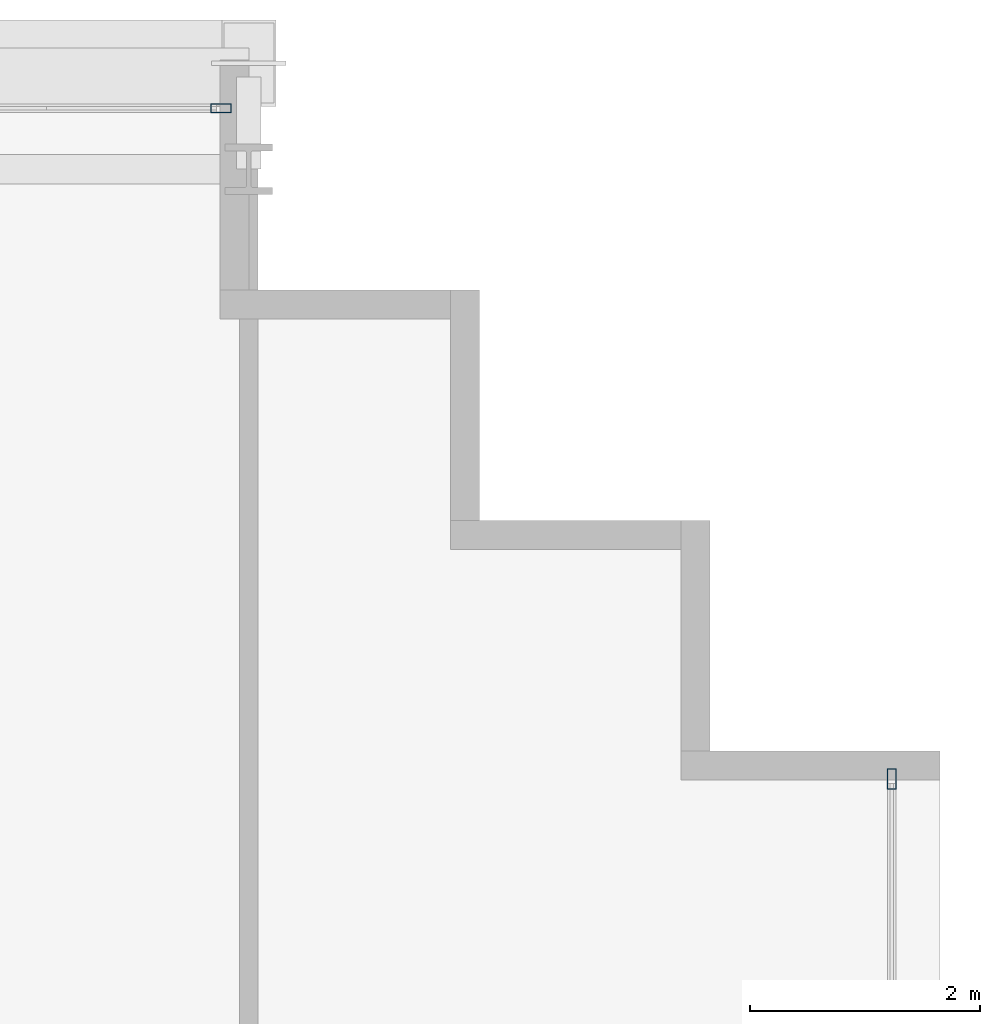
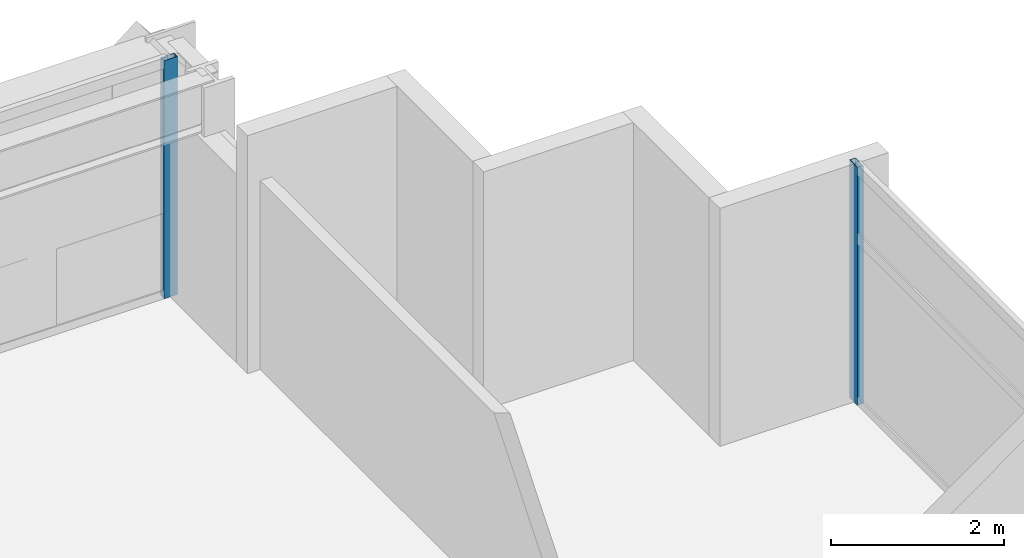
# One storey, part 22 of 34: 2 members, 2 elements without a shape of their own.
"""IFC4 building model written with IfcOpenShell, lengths in metres."""

import ifcopenshell
import ifcopenshell.guid

model = None  # the IFC model being written
_history = None  # IfcOwnerHistory: only IFC2X3 demands one
_inside = {}  # id of a spatial element -> (the spatial element, [elements in it])
_under = {}  # id of a project, library or spatial element -> (it, [spatial elements below it])
_declared = {}  # id of a project -> (the project, [libraries it declares])
_typed = {}  # id of a type object -> (the type object, [elements of that type])
_made_of = {}  # id of a material, layer set ... -> (it, [elements and type objects made of it])


def new_model(schema):
    """Start an empty IFC model of exactly this schema.

    Asked for "IFC4X3", IfcOpenShell would pick the latest addendum, in which some entities
    have other attributes; the version numbers below select the first issue.
    IFC2X3 requires an IfcOwnerHistory on every rooted entity: one is made here for all.
    """
    global model, _history
    if schema == "IFC4X3":
        model = ifcopenshell.file(schema_version=(4, 3, 0, 0))
    else:
        model = ifcopenshell.file(schema=schema)
    _inside.clear()
    _under.clear()
    _declared.clear()
    _typed.clear()
    _made_of.clear()
    _history = None
    if model.schema == "IFC2X3":
        org = make("IfcOrganization", Name="unknown")
        user = make(
            "IfcPersonAndOrganization",
            ThePerson=make("IfcPerson", FamilyName="unknown"),
            TheOrganization=org,
        )
        app = make(
            "IfcApplication",
            ApplicationDeveloper=org,
            Version="unknown",
            ApplicationFullName="unknown",
            ApplicationIdentifier="unknown",
        )
        _history = make(
            "IfcOwnerHistory",
            OwningUser=user,
            OwningApplication=app,
            ChangeAction="ADDED",
            CreationDate=0,
        )
    return model


def make(cls, **values):
    """One entity of the class cls with the attributes given. An attribute that is None is left unset."""
    return model.create_entity(
        cls, **{name: value for name, value in values.items() if value is not None}
    )


def rooted(cls, **values):
    """An entity with a GlobalId (a new one), such as an element, a storey or a relation."""
    return make(cls, GlobalId=ifcopenshell.guid.new(), OwnerHistory=_history, **values)


def si_unit(unit_type, name, prefix=None):
    """IfcSIUnit, for example si_unit("LENGTHUNIT", "METRE", prefix="MILLI")."""
    return make("IfcSIUnit", UnitType=unit_type, Prefix=prefix, Name=name)


def assignment(units):
    """IfcUnitAssignment: the units of a project."""
    return None if units is None else make("IfcUnitAssignment", Units=units)


def point(xyz):
    """IfcCartesianPoint."""
    return None if xyz is None else make("IfcCartesianPoint", Coordinates=xyz)


def direction(xyz):
    """IfcDirection."""
    return None if xyz is None else make("IfcDirection", DirectionRatios=xyz)


def frame(location, z_axis=None, x_axis=None):
    """IfcAxis2Placement3D, a coordinate frame: its origin and axes. An axis left out is left unset."""
    return make(
        "IfcAxis2Placement3D",
        Location=point(location),
        Axis=direction(z_axis),
        RefDirection=direction(x_axis),
    )


def frame_2d(location, x_axis=None):
    """IfcAxis2Placement2D, a coordinate frame in the plane: its origin and x axis."""
    return make(
        "IfcAxis2Placement2D", Location=point(location), RefDirection=direction(x_axis)
    )


def origin():
    """The frame at (0, 0, 0) with its axes left unset."""
    return frame((0.0, 0.0, 0.0))


def origin_2d():
    """The frame at (0, 0) in the plane with its x axis left unset."""
    return frame_2d((0.0, 0.0))


def place(relative_to, where):
    """IfcLocalPlacement: puts the frame where relative to a parent placement (None: the world)."""
    return make(
        "IfcLocalPlacement", PlacementRelTo=relative_to, RelativePlacement=where
    )


def context(
    kind, dimensions, precision=None, world=None, true_north=None, identifier=None
):
    """IfcGeometricRepresentationContext, for example the 3D "Model" context."""
    return make(
        "IfcGeometricRepresentationContext",
        ContextIdentifier=identifier,
        ContextType=kind,
        CoordinateSpaceDimension=dimensions,
        Precision=precision,
        WorldCoordinateSystem=world,
        TrueNorth=true_north,
    )


def subcontext(parent, identifier, kind, view, scale=None):
    """IfcGeometricRepresentationSubContext, for example "Body" below "Model"."""
    return make(
        "IfcGeometricRepresentationSubContext",
        ContextIdentifier=identifier,
        ContextType=kind,
        ParentContext=parent,
        TargetScale=scale,
        TargetView=view,
    )


def project(units=None, contexts=None):
    """IfcProject with its units and contexts."""
    return rooted(
        "IfcProject",
        Name="project",
        RepresentationContexts=contexts,
        UnitsInContext=assignment(units),
    )


def spatial(cls, under=None, at=None, **own):
    """A site, building, storey or space (cls), placed at a placement, below another one or the project."""
    s = rooted(cls, ObjectPlacement=at, **own)
    if under is not None:
        _under.setdefault(under.id(), (under, []))[1].append(s)
    return s


def profile(cls, at=None, kind="AREA", **sizes):
    """A parametric profile (cls). Its sizes go by their IFC names, for example OverallWidth=200.0."""
    return make(cls, ProfileType=kind, Position=at, **sizes)


def hollow_rectangle(**sizes):
    """IfcRectangleHollowProfileDef."""
    return profile("IfcRectangleHollowProfileDef", **sizes)


def extrude(swept, where, along, depth):
    """IfcExtrudedAreaSolid: the profile swept, set in the frame where, extruded along a direction by depth."""
    return make(
        "IfcExtrudedAreaSolid",
        SweptArea=swept,
        Position=where,
        ExtrudedDirection=direction(along),
        Depth=depth,
    )


def shape(context_of_items, identifier, shape_type, items):
    """IfcShapeRepresentation: the items that make up one representation, for example the "Body"."""
    return make(
        "IfcShapeRepresentation",
        ContextOfItems=context_of_items,
        RepresentationIdentifier=identifier,
        RepresentationType=shape_type,
        Items=items,
    )


def source(mapping_origin, context_of_items, identifier, shape_type, items):
    """IfcRepresentationMap: a shape defined once, which mapped items show again and again."""
    return make(
        "IfcRepresentationMap",
        MappingOrigin=mapping_origin,
        MappedRepresentation=shape(context_of_items, identifier, shape_type, items),
    )


def transform(
    local_origin,
    x_axis=None,
    y_axis=None,
    z_axis=None,
    scale=None,
    scale2=None,
    scale3=None,
    uniform=True,
):
    """IfcCartesianTransformationOperator3D, or its non-uniform kind. x_axis, y_axis, z_axis: its Axis1, 2, 3."""
    if uniform:
        return make(
            "IfcCartesianTransformationOperator3D",
            Axis1=direction(x_axis),
            Axis2=direction(y_axis),
            LocalOrigin=point(local_origin),
            Scale=scale,
            Axis3=direction(z_axis),
        )
    return make(
        "IfcCartesianTransformationOperator3DnonUniform",
        Axis1=direction(x_axis),
        Axis2=direction(y_axis),
        LocalOrigin=point(local_origin),
        Scale=scale,
        Axis3=direction(z_axis),
        Scale2=scale2,
        Scale3=scale3,
    )


def mapped(mapping_source, mapping_target):
    """IfcMappedItem: shows the shape of a source again, moved by a transform."""
    return make(
        "IfcMappedItem", MappingSource=mapping_source, MappingTarget=mapping_target
    )


def material(Name=None, Category=None):
    """IfcMaterial."""
    return make("IfcMaterial", Name=Name, Category=Category)


def layer(
    of_material, thickness, ventilated=None, Name=None, Category=None, Priority=None
):
    """IfcMaterialLayer: one layer of a wall or slab, of a material (None: an air gap)."""
    return make(
        "IfcMaterialLayer",
        Material=of_material,
        LayerThickness=thickness,
        IsVentilated=ventilated,
        Name=Name,
        Category=Category,
        Priority=Priority,
    )


def layer_set(layers, Name=None):
    """IfcMaterialLayerSet."""
    return make("IfcMaterialLayerSet", MaterialLayers=layers, LayerSetName=Name)


def material_profile(
    of_material, cross_section, Name=None, Category=None, Priority=None
):
    """IfcMaterialProfile: a cross section and its material."""
    return make(
        "IfcMaterialProfile",
        Name=Name,
        Material=of_material,
        Profile=cross_section,
        Priority=Priority,
        Category=Category,
    )


def profile_set(profiles, Name=None, composite=None):
    """IfcMaterialProfileSet."""
    return make(
        "IfcMaterialProfileSet",
        Name=Name,
        MaterialProfiles=profiles,
        CompositeProfile=composite,
    )


def made_of(thing, what):
    """Note that an element or type object is made of a material, layer set ...; save() writes the relation."""
    if what is not None:
        _made_of.setdefault(what.id(), (what, []))[1].append(thing)
    return thing


def type_object(cls, material=None, **own):
    """A type object (cls), such as IfcWallType, which elements share."""
    return made_of(rooted(cls, **own), material)


def element(
    cls,
    number,
    at=None,
    inside=None,
    cuts=None,
    type_object=None,
    material=None,
    context=None,
    identifier="Body",
    shape_type=None,
    held_by="IfcProductDefinitionShape",
    body=None,
    shapes=None,
    **own,
):
    """One element of the class cls, such as IfcWall. Its Tag is "e" and its number.

    at: its placement. inside: the storey or other place that contains it. cuts: it is an
    opening in that element (IfcRelVoidsElement). A single representation is given by context,
    identifier, shape_type and body (its items); several are given by shapes. held_by: the class
    of the entity that holds the representations. save() writes the other relations.
    """
    e = rooted(cls, Tag="e%d" % number, ObjectPlacement=at, **own)
    if body is not None:
        shapes = [shape(context, identifier, shape_type, body)]
    if shapes is not None:
        e.Representation = make(held_by, Representations=shapes)
    if inside is not None:
        _inside.setdefault(inside.id(), (inside, []))[1].append(e)
    if cuts is not None:
        rooted(
            "IfcRelVoidsElement", RelatingBuildingElement=cuts, RelatedOpeningElement=e
        )
    if type_object is not None:
        _typed.setdefault(type_object.id(), (type_object, []))[1].append(e)
    return made_of(e, material)


def aggregate(whole, parts):
    """IfcRelAggregates: a whole, such as a stair, and the parts it consists of."""
    return rooted("IfcRelAggregates", RelatingObject=whole, RelatedObjects=parts)


def save(model, path):
    """Write the relations noted so far, then the file.

    IfcRelAggregates (storeys below a building ...), IfcRelContainedInSpatialStructure (elements
    in a storey), IfcRelDefinesByType, IfcRelAssociatesMaterial and IfcRelDeclares: one each for
    every whole, place, type object, material and project.
    """
    for whole, parts in _under.values():
        aggregate(whole, parts)
    for where, things in _inside.values():
        rooted(
            "IfcRelContainedInSpatialStructure",
            RelatedElements=things,
            RelatingStructure=where,
        )
    for kind, things in _typed.values():
        rooted("IfcRelDefinesByType", RelatedObjects=things, RelatingType=kind)
    for what, things in _made_of.values():
        rooted("IfcRelAssociatesMaterial", RelatedObjects=things, RelatingMaterial=what)
    for by, libraries in _declared.values():
        rooted("IfcRelDeclares", RelatingContext=by, RelatedDefinitions=libraries)
    model.write(path)


model = new_model("IFC4")

# Units and contexts
model_context = context("Model", 3, precision=1e-05, world=origin(), true_north=direction((0.0, 1.0)))
body_context = subcontext(model_context, "Body", "Model", "MODEL_VIEW")
ifc_project = project(units=[si_unit("LENGTHUNIT", "METRE"), si_unit("AREAUNIT", "SQUARE_METRE"), si_unit("VOLUMEUNIT", "CUBIC_METRE"), si_unit("PLANEANGLEUNIT", "RADIAN"), si_unit("MASSUNIT", "GRAM", prefix="KILO")], contexts=[model_context])

# Site, building, storey
site_placement = place(None, origin())
site = spatial("IfcSite", under=ifc_project, at=site_placement, CompositionType="ELEMENT")
building_placement = place(site_placement, origin())
building = spatial("IfcBuilding", under=site, at=building_placement, Name="Ocotamira Hotel", CompositionType="ELEMENT")
storey_placement = place(building_placement, frame((0.0, 0.0, 108.0)))
storey = spatial("IfcBuildingStorey", under=building, at=storey_placement, Name="L26", CompositionType="ELEMENT", Elevation=108.0)

# Curtain wall, member
ifc_material_1 = material(Name="Anodised pale-metal aluminium and solar glass", Category="aluminium")
ifc_layer = layer(ifc_material_1, 0.179931640625)
ifc_layer_set = layer_set([ifc_layer], Name="Anodised pale-metal aluminium and solar glass")
curtain_wall_type = type_object("IfcCurtainWallType", Name="CW-SYS3-Z2", PredefinedType="NOTDEFINED", material=ifc_layer_set)
curtain_wall_1_placement = place(storey_placement, origin())
curtain_wall_1 = element("IfcCurtainWall", 1, at=curtain_wall_1_placement, inside=storey, type_object=curtain_wall_type, Name="L26 Curtain Wall CW-3 CW-L26-N", PredefinedType="NOTDEFINED")
ifc_material_2 = material(Name="Anodised pale-metal aluminium 6063-T6", Category="aluminium")
ifc_material_profile = material_profile(ifc_material_2, hollow_rectangle(XDim=0.080078125, YDim=0.179931640625, WallThickness=0.006103515625, at=origin_2d()), Name="HSS180X80X6")
ifc_profile_set = profile_set([ifc_material_profile], Name="Anodised pale-metal aluminium 6063-T6")
member_type = type_object("IfcMemberType", Name="CWM-180X75", PredefinedType="MULLION", material=ifc_profile_set)
shared_shape = source(origin(), body_context, "Body", "SweptSolid", [
    extrude(hollow_rectangle(XDim=0.080078125, YDim=0.179931640625, WallThickness=0.006103515625, at=origin_2d()), origin(), (0.0, 0.0, 1.0), 3.360107421875),
])
member_1_placement = place(storey_placement, frame((49.760009765625, 49.580078125, 0.0), z_axis=(0.0, 0.0, 1.0), x_axis=(0.0, 1.0, 0.0)))
member_1 = element("IfcMember", 2, at=member_1_placement, type_object=member_type, Name="CW-3 mullion 10", PredefinedType="MULLION", context=body_context, shape_type="MappedRepresentation", body=[
    mapped(shared_shape, transform((0.0, 0.0, 0.0), scale=1.0)),
])
aggregate(curtain_wall_1, [member_1])

curtain_wall_2_placement = place(storey_placement, origin())
curtain_wall_2 = element("IfcCurtainWall", 3, at=curtain_wall_2_placement, inside=storey, type_object=curtain_wall_type, Name="L26 Curtain Wall CW-3 CW-L26-E", PredefinedType="NOTDEFINED")
member_2_placement = place(storey_placement, frame((55.580078125, 43.760009765625, 0.0), z_axis=(0.0, 0.0, 1.0), x_axis=(-1.0, 0.0, 0.0)))
member_2 = element("IfcMember", 4, at=member_2_placement, type_object=member_type, Name="CW-3 mullion 8", PredefinedType="MULLION", context=body_context, shape_type="MappedRepresentation", body=[
    mapped(shared_shape, transform((0.0, 0.0, 0.0), scale=1.0)),
])
aggregate(curtain_wall_2, [member_2])

save(model, "model.ifc")
